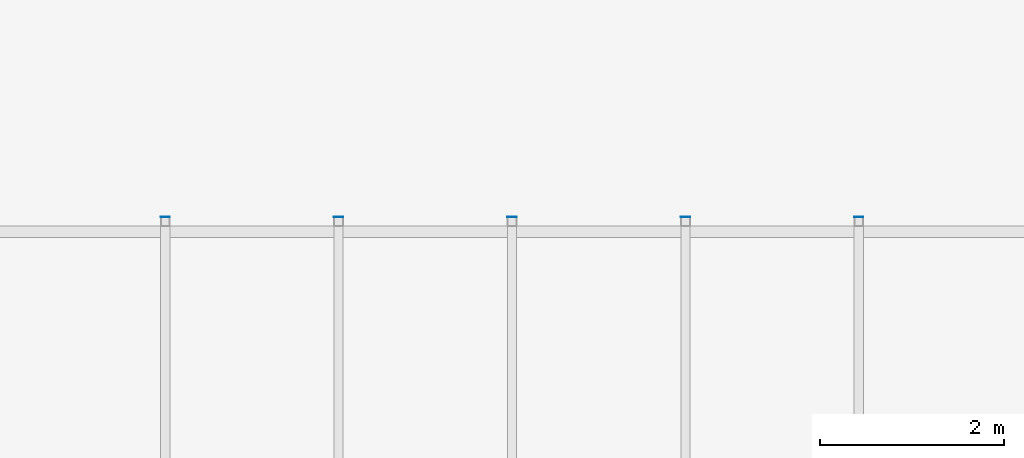
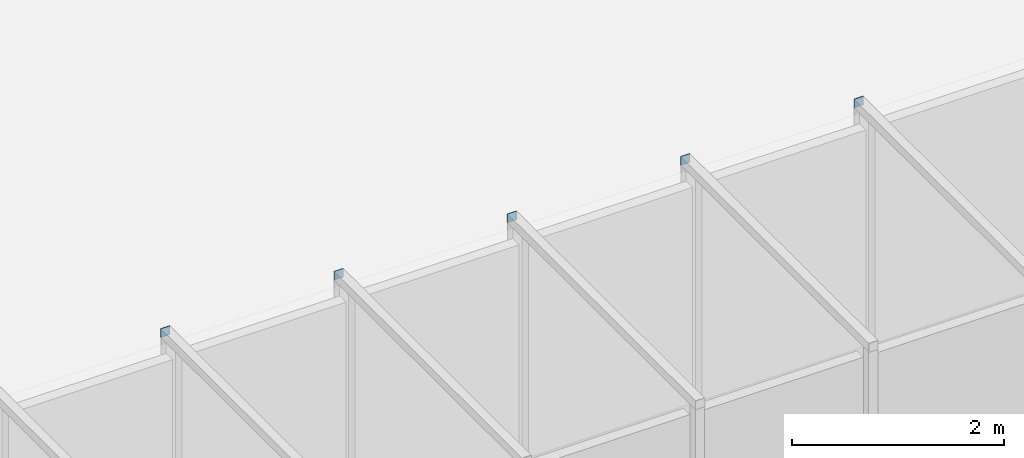
# One storey, part 43 of 85: 5 plates, 1 element without a shape of its own.
"""IFC4 building model written with IfcOpenShell, lengths in metres."""

from ifc_helpers import new_model, si_unit, direction, frame, origin, origin_2d, place, context, subcontext, project, spatial, rectangle, extrude, material, layer, layer_set, type_object, element, aggregate, save


model = new_model("IFC4")

# Units and contexts
model_context = context("Model", 3, precision=1e-05, world=origin(), true_north=direction((0.0, 1.0)))
body_context = subcontext(model_context, "Body", "Model", "MODEL_VIEW")
ifc_project = project(units=[si_unit("LENGTHUNIT", "METRE"), si_unit("AREAUNIT", "SQUARE_METRE"), si_unit("VOLUMEUNIT", "CUBIC_METRE"), si_unit("PLANEANGLEUNIT", "RADIAN"), si_unit("MASSUNIT", "GRAM", prefix="KILO")], contexts=[model_context])

# Site, building, storey
site_placement = place(None, origin())
site = spatial("IfcSite", under=ifc_project, at=site_placement, CompositionType="ELEMENT")
building_placement = place(site_placement, origin())
building = spatial("IfcBuilding", under=site, at=building_placement, Name="Volute Hill Aquarium", CompositionType="ELEMENT")
storey_placement = place(building_placement, origin())
storey = spatial("IfcBuildingStorey", under=building, at=storey_placement, Name="L01", CompositionType="ELEMENT", Elevation=0.0)

# Curtain wall, plates
ifc_material_1 = material(Name="Acrylic PMMA")
curtain_wall_type = type_object("IfcCurtainWallType", Name="Viewing tunnel acrylic assembly", PredefinedType="NOTDEFINED", material=ifc_material_1)
curtain_wall_placement = place(storey_placement, origin())
curtain_wall = element("IfcCurtainWall", 1, at=curtain_wall_placement, inside=storey, type_object=curtain_wall_type, Name="Viewing tunnel acrylic assembly", PredefinedType="NOTDEFINED")
ifc_material_2 = material(Name="Steel S355", Category="steel")
ifc_layer = layer(ifc_material_2, 0.006103515625)
ifc_layer_set = layer_set([ifc_layer], Name="Tunnel frame end plate 6 S355")
plate_type = type_object("IfcPlateType", Name="Tunnel frame end plate 6 S355", PredefinedType="SHEET", material=ifc_layer_set)
plate_1_placement = place(storey_placement, frame((0.0, 1.77294921875, 2.719970703125), z_axis=(0.0, 0.0, 1.0), x_axis=(1.0, 0.0, 0.0)))
plate_1 = element("IfcPlate", 2, at=plate_1_placement, type_object=plate_type, Name="Tunnel frame end plate 9B", PredefinedType="SHEET", context=body_context, shape_type="SweptSolid", body=[
    extrude(rectangle(XDim=0.10009765625, YDim=0.006103515625, at=origin_2d()), origin(), (0.0, 0.0, 1.0), 0.10009765625),
])
plate_2_placement = place(storey_placement, frame((1.88623046875, 1.77294921875, 2.719970703125), z_axis=(0.0, 0.0, 1.0), x_axis=(1.0, 0.0, 0.0)))
plate_2 = element("IfcPlate", 3, at=plate_2_placement, type_object=plate_type, Name="Tunnel frame end plate 10B", PredefinedType="SHEET", context=body_context, shape_type="SweptSolid", body=[
    extrude(rectangle(XDim=0.10009765625, YDim=0.006103515625, at=origin_2d()), origin(), (0.0, 0.0, 1.0), 0.10009765625),
])
plate_3_placement = place(storey_placement, frame((3.7724609375, 1.77294921875, 2.719970703125), z_axis=(0.0, 0.0, 1.0), x_axis=(1.0, 0.0, 0.0)))
plate_3 = element("IfcPlate", 4, at=plate_3_placement, type_object=plate_type, Name="Tunnel frame end plate 11B", PredefinedType="SHEET", context=body_context, shape_type="SweptSolid", body=[
    extrude(rectangle(XDim=0.10009765625, YDim=0.006103515625, at=origin_2d()), origin(), (0.0, 0.0, 1.0), 0.10009765625),
])
plate_4_placement = place(storey_placement, frame((5.65869140625, 1.77294921875, 2.719970703125), z_axis=(0.0, 0.0, 1.0), x_axis=(1.0, 0.0, 0.0)))
plate_4 = element("IfcPlate", 5, at=plate_4_placement, type_object=plate_type, Name="Tunnel frame end plate 12B", PredefinedType="SHEET", context=body_context, shape_type="SweptSolid", body=[
    extrude(rectangle(XDim=0.10009765625, YDim=0.006103515625, at=origin_2d()), origin(), (0.0, 0.0, 1.0), 0.10009765625),
])
plate_5_placement = place(storey_placement, frame((7.544921875, 1.77294921875, 2.719970703125), z_axis=(0.0, 0.0, 1.0), x_axis=(1.0, 0.0, 0.0)))
plate_5 = element("IfcPlate", 6, at=plate_5_placement, type_object=plate_type, Name="Tunnel frame end plate 13B", PredefinedType="SHEET", context=body_context, shape_type="SweptSolid", body=[
    extrude(rectangle(XDim=0.10009765625, YDim=0.006103515625, at=origin_2d()), origin(), (0.0, 0.0, 1.0), 0.10009765625),
])
aggregate(curtain_wall, [plate_1, plate_2, plate_3, plate_4, plate_5])

save(model, "model.ifc")
